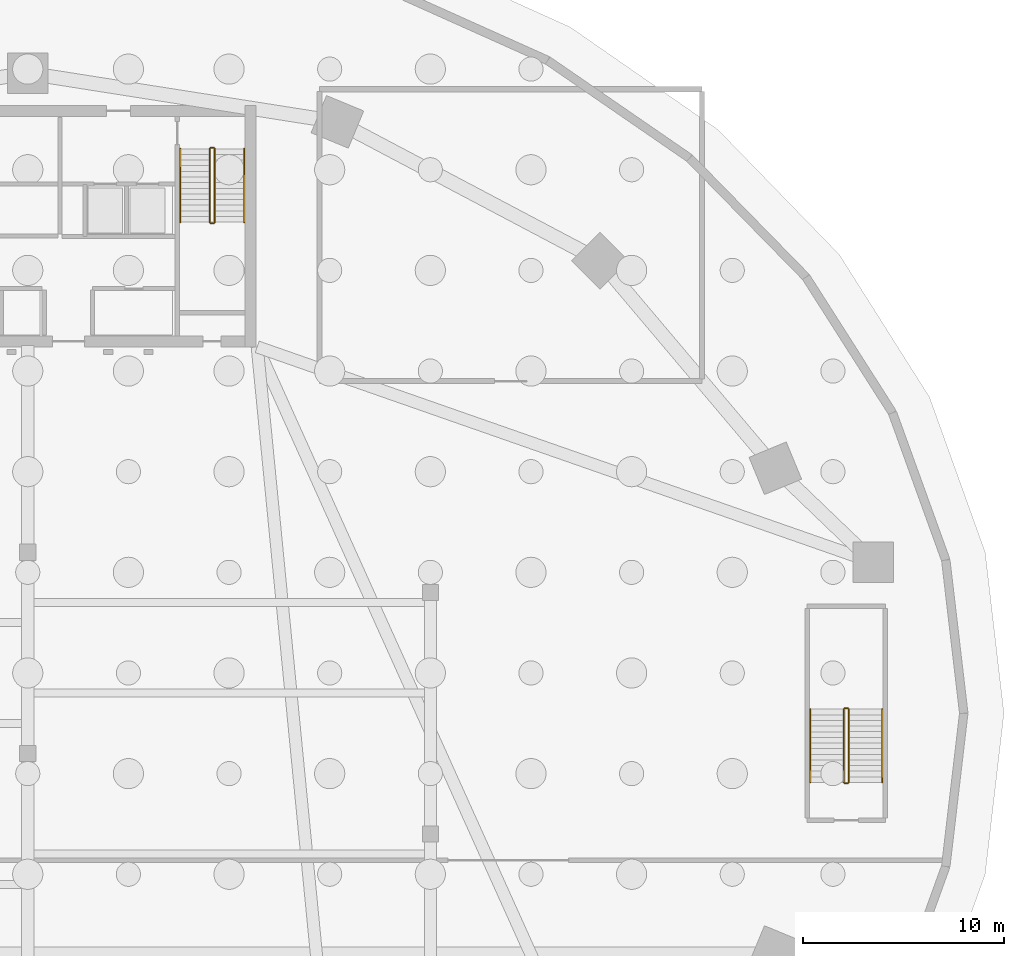
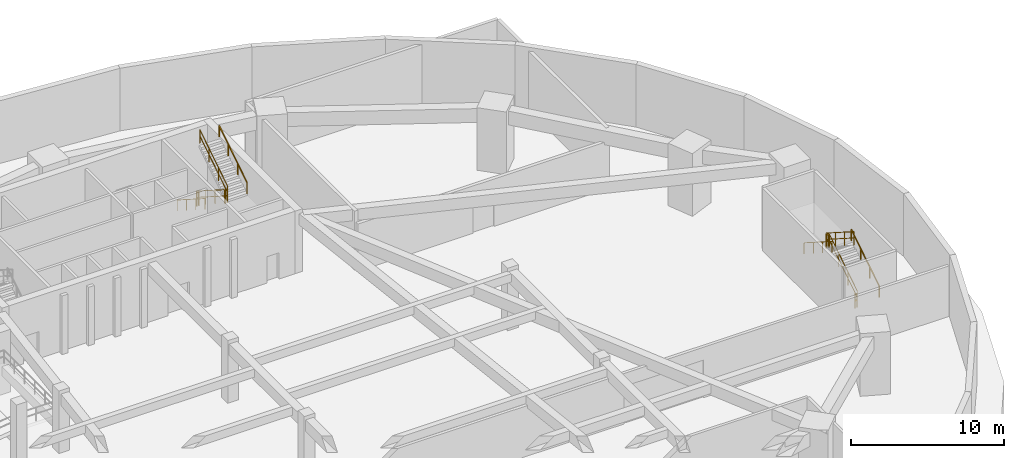
# One storey, part 10 of 11: 12 railings.
"""IFC4 building model written with IfcOpenShell, lengths in metres."""

from ifc_helpers import new_model, si_unit, direction, frame, origin, origin_2d, place, context, subcontext, project, spatial, rectangle, extrude, material, type_object, element, save


model = new_model("IFC4")

# Units and contexts
model_context = context("Model", 3, precision=1e-05, world=origin(), true_north=direction((0.0, 1.0)))
body_context = subcontext(model_context, "Body", "Model", "MODEL_VIEW")
ifc_project = project(units=[si_unit("LENGTHUNIT", "METRE"), si_unit("AREAUNIT", "SQUARE_METRE"), si_unit("VOLUMEUNIT", "CUBIC_METRE"), si_unit("PLANEANGLEUNIT", "RADIAN"), si_unit("MASSUNIT", "GRAM", prefix="KILO")], contexts=[model_context])

# Site, building, storey
site_placement = place(None, origin())
site = spatial("IfcSite", under=ifc_project, at=site_placement, CompositionType="ELEMENT")
building_placement = place(site_placement, origin())
building = spatial("IfcBuilding", under=site, at=building_placement, Name="Breltana Convention Tower", CompositionType="ELEMENT")
storey_placement = place(building_placement, frame((0.0, 0.0, -10.0)))
storey = spatial("IfcBuildingStorey", under=building, at=storey_placement, Name="B02", CompositionType="ELEMENT", Elevation=-10.0)

# Railings
ifc_material_1 = material(Name="Steel S275 Painted", Category="steel")
railing_type_1 = type_object("IfcRailingType", Name="RL-STAIR-GUARD-1100", PredefinedType="GUARDRAIL", material=ifc_material_1)
railing_1_placement = place(storey_placement, frame((57.0400390625, 70.0400390625, 0.178466796875)))
element("IfcRailing", 1, at=railing_1_placement, inside=storey, type_object=railing_type_1, Name="B02 ST-2 stair guard 1", PredefinedType="GUARDRAIL", context=body_context, shape_type="SweptSolid", body=[
    extrude(rectangle(XDim=0.048095703125, YDim=0.048095703125, at=origin_2d()), frame((0.0, 0.0, 1.076171875), z_axis=(0.0, -0.843127859045, 0.537713132908), x_axis=(1.0, 0.0, 0.0)), (0.0, 0.0, 1.0), 4.3173828125),
    extrude(rectangle(XDim=0.048095703125, YDim=0.048095703125, at=origin_2d()), frame((0.0, 0.0, 0.572021484375), z_axis=(0.0, -0.843127859045, 0.537713132908), x_axis=(1.0, 0.0, 0.0)), (0.0, 0.0, 1.0), 4.3173828125),
    extrude(rectangle(XDim=0.0419921875, YDim=0.0419921875, at=origin_2d()), origin(), (0.0, 0.0, 1.0), 1.052001953125),
    extrude(rectangle(XDim=0.0419921875, YDim=0.0419921875, at=origin_2d()), frame((0.0, -1.21337890625, 0.77392578125)), (0.0, 0.0, 1.0), 1.052001953125),
    extrude(rectangle(XDim=0.0419921875, YDim=0.0419921875, at=origin_2d()), frame((0.0, -2.4267578125, 1.547607421875)), (0.0, 0.0, 1.0), 1.052001953125),
    extrude(rectangle(XDim=0.0419921875, YDim=0.0419921875, at=origin_2d()), frame((0.0, -3.64013671875, 2.321533203125)), (0.0, 0.0, 1.0), 1.052001953125),
])
railing_2_placement = place(storey_placement, frame((57.090087890625, 66.35009765625, 2.5)))
element("IfcRailing", 2, at=railing_2_placement, inside=storey, type_object=railing_type_1, Name="B02 ST-2 stair guard 2", PredefinedType="GUARDRAIL", context=body_context, shape_type="SweptSolid", body=[
    extrude(rectangle(XDim=0.048095703125, YDim=0.048095703125, at=origin_2d()), frame((0.0, 0.0, 1.076171875), z_axis=(1.0, 0.0, 0.0), x_axis=(0.0, 1.0, 0.0)), (0.0, 0.0, 1.0), 0.14990234375),
    extrude(rectangle(XDim=0.048095703125, YDim=0.048095703125, at=origin_2d()), frame((0.0, 0.0, 0.572021484375), z_axis=(1.0, 0.0, 0.0), x_axis=(0.0, 1.0, 0.0)), (0.0, 0.0, 1.0), 0.14990234375),
    extrude(rectangle(XDim=0.0419921875, YDim=0.0419921875, at=origin_2d()), origin(), (0.0, 0.0, 1.0), 1.052001953125),
    extrude(rectangle(XDim=0.0419921875, YDim=0.0419921875, at=origin_2d()), frame((0.14990234375, 0.0, 0.0)), (0.0, 0.0, 1.0), 1.052001953125),
])
railing_3_placement = place(storey_placement, frame((57.2900390625, 66.39990234375, 2.678466796875)))
element("IfcRailing", 3, at=railing_3_placement, inside=storey, type_object=railing_type_1, Name="B02 ST-2 stair guard 3", PredefinedType="GUARDRAIL", context=body_context, shape_type="SweptSolid", body=[
    extrude(rectangle(XDim=0.048095703125, YDim=0.048095703125, at=origin_2d()), frame((0.0, 0.0, 1.076171875), z_axis=(0.0, 0.843127859045, 0.537713132908), x_axis=(-1.0, 0.0, 0.0)), (0.0, 0.0, 1.0), 4.3173828125),
    extrude(rectangle(XDim=0.048095703125, YDim=0.048095703125, at=origin_2d()), frame((0.0, 0.0, 0.572021484375), z_axis=(0.0, 0.843127859045, 0.537713132908), x_axis=(-1.0, 0.0, 0.0)), (0.0, 0.0, 1.0), 4.3173828125),
    extrude(rectangle(XDim=0.0419921875, YDim=0.0419921875, at=origin_2d()), origin(), (0.0, 0.0, 1.0), 1.052001953125),
    extrude(rectangle(XDim=0.0419921875, YDim=0.0419921875, at=origin_2d()), frame((0.0, 1.21337890625, 0.77392578125)), (0.0, 0.0, 1.0), 1.052001953125),
    extrude(rectangle(XDim=0.0419921875, YDim=0.0419921875, at=origin_2d()), frame((0.0, 2.4267578125, 1.547607421875)), (0.0, 0.0, 1.0), 1.052001953125),
    extrude(rectangle(XDim=0.0419921875, YDim=0.0419921875, at=origin_2d()), frame((0.0, 3.64013671875, 2.321533203125)), (0.0, 0.0, 1.0), 1.052001953125),
])
railing_4_placement = place(storey_placement, frame((57.090087890625, 70.090087890625, 0.0)))
element("IfcRailing", 4, at=railing_4_placement, inside=storey, type_object=railing_type_1, Name="B02 ST-2 stair guard 4", PredefinedType="GUARDRAIL", context=body_context, shape_type="SweptSolid", body=[
    extrude(rectangle(XDim=0.048095703125, YDim=0.048095703125, at=origin_2d()), frame((0.0, 0.0, 1.076171875), z_axis=(1.0, 0.0, 0.0), x_axis=(0.0, 1.0, 0.0)), (0.0, 0.0, 1.0), 0.14990234375),
    extrude(rectangle(XDim=0.048095703125, YDim=0.048095703125, at=origin_2d()), frame((0.0, 0.0, 0.572021484375), z_axis=(1.0, 0.0, 0.0), x_axis=(0.0, 1.0, 0.0)), (0.0, 0.0, 1.0), 0.14990234375),
    extrude(rectangle(XDim=0.0419921875, YDim=0.0419921875, at=origin_2d()), origin(), (0.0, 0.0, 1.0), 1.052001953125),
    extrude(rectangle(XDim=0.0419921875, YDim=0.0419921875, at=origin_2d()), frame((0.14990234375, 0.0, 0.0)), (0.0, 0.0, 1.0), 1.052001953125),
])
railing_5_placement = place(storey_placement, frame((88.7900390625, 38.56005859375, 0.178466796875)))
element("IfcRailing", 5, at=railing_5_placement, inside=storey, type_object=railing_type_1, Name="B02 ST-4 stair guard 1", PredefinedType="GUARDRAIL", context=body_context, shape_type="SweptSolid", body=[
    extrude(rectangle(XDim=0.048095703125, YDim=0.048095703125, at=origin_2d()), frame((0.0, 0.0, 1.076171875), z_axis=(0.0, 0.843111507901, 0.53773877045), x_axis=(-1.0, 0.0, 0.0)), (0.0, 0.0, 1.0), 4.317138671875),
    extrude(rectangle(XDim=0.048095703125, YDim=0.048095703125, at=origin_2d()), frame((0.0, 0.0, 0.572021484375), z_axis=(0.0, 0.843111507901, 0.53773877045), x_axis=(-1.0, 0.0, 0.0)), (0.0, 0.0, 1.0), 4.317138671875),
    extrude(rectangle(XDim=0.0419921875, YDim=0.0419921875, at=origin_2d()), origin(), (0.0, 0.0, 1.0), 1.052001953125),
    extrude(rectangle(XDim=0.0419921875, YDim=0.0419921875, at=origin_2d()), frame((0.0, 1.21337890625, 0.77392578125)), (0.0, 0.0, 1.0), 1.052001953125),
    extrude(rectangle(XDim=0.0419921875, YDim=0.0419921875, at=origin_2d()), frame((0.0, 2.426513671875, 1.547607421875)), (0.0, 0.0, 1.0), 1.052001953125),
    extrude(rectangle(XDim=0.0419921875, YDim=0.0419921875, at=origin_2d()), frame((0.0, 3.639892578125, 2.321533203125)), (0.0, 0.0, 1.0), 1.052001953125),
])
railing_6_placement = place(storey_placement, frame((88.739990234375, 42.25, 2.5)))
element("IfcRailing", 6, at=railing_6_placement, inside=storey, type_object=railing_type_1, Name="B02 ST-4 stair guard 2", PredefinedType="GUARDRAIL", context=body_context, shape_type="SweptSolid", body=[
    extrude(rectangle(XDim=0.048095703125, YDim=0.048095703125, at=origin_2d()), frame((0.0, 0.0, 1.076171875), z_axis=(-1.0, 0.0, 0.0), x_axis=(0.0, -1.0, 0.0)), (0.0, 0.0, 1.0), 0.14990234375),
    extrude(rectangle(XDim=0.048095703125, YDim=0.048095703125, at=origin_2d()), frame((0.0, 0.0, 0.572021484375), z_axis=(-1.0, 0.0, 0.0), x_axis=(0.0, -1.0, 0.0)), (0.0, 0.0, 1.0), 0.14990234375),
    extrude(rectangle(XDim=0.0419921875, YDim=0.0419921875, at=origin_2d()), origin(), (0.0, 0.0, 1.0), 1.052001953125),
    extrude(rectangle(XDim=0.0419921875, YDim=0.0419921875, at=origin_2d()), frame((-0.14990234375, 0.0, 0.0)), (0.0, 0.0, 1.0), 1.052001953125),
])
railing_7_placement = place(storey_placement, frame((88.5400390625, 42.199951171875, 2.678466796875)))
element("IfcRailing", 7, at=railing_7_placement, inside=storey, type_object=railing_type_1, Name="B02 ST-4 stair guard 3", PredefinedType="GUARDRAIL", context=body_context, shape_type="SweptSolid", body=[
    extrude(rectangle(XDim=0.048095703125, YDim=0.048095703125, at=origin_2d()), frame((0.0, 0.0, 1.076171875), z_axis=(0.0, -0.843111507901, 0.53773877045), x_axis=(1.0, 0.0, 0.0)), (0.0, 0.0, 1.0), 4.317138671875),
    extrude(rectangle(XDim=0.048095703125, YDim=0.048095703125, at=origin_2d()), frame((0.0, 0.0, 0.572021484375), z_axis=(0.0, -0.843111507901, 0.53773877045), x_axis=(1.0, 0.0, 0.0)), (0.0, 0.0, 1.0), 4.317138671875),
    extrude(rectangle(XDim=0.0419921875, YDim=0.0419921875, at=origin_2d()), origin(), (0.0, 0.0, 1.0), 1.052001953125),
    extrude(rectangle(XDim=0.0419921875, YDim=0.0419921875, at=origin_2d()), frame((0.0, -1.21337890625, 0.77392578125)), (0.0, 0.0, 1.0), 1.052001953125),
    extrude(rectangle(XDim=0.0419921875, YDim=0.0419921875, at=origin_2d()), frame((0.0, -2.426513671875, 1.547607421875)), (0.0, 0.0, 1.0), 1.052001953125),
    extrude(rectangle(XDim=0.0419921875, YDim=0.0419921875, at=origin_2d()), frame((0.0, -3.639892578125, 2.321533203125)), (0.0, 0.0, 1.0), 1.052001953125),
])
railing_8_placement = place(storey_placement, frame((88.739990234375, 38.510009765625, 0.0)))
element("IfcRailing", 8, at=railing_8_placement, inside=storey, type_object=railing_type_1, Name="B02 ST-4 stair guard 4", PredefinedType="GUARDRAIL", context=body_context, shape_type="SweptSolid", body=[
    extrude(rectangle(XDim=0.048095703125, YDim=0.048095703125, at=origin_2d()), frame((0.0, 0.0, 1.076171875), z_axis=(-1.0, 0.0, 0.0), x_axis=(0.0, -1.0, 0.0)), (0.0, 0.0, 1.0), 0.14990234375),
    extrude(rectangle(XDim=0.048095703125, YDim=0.048095703125, at=origin_2d()), frame((0.0, 0.0, 0.572021484375), z_axis=(-1.0, 0.0, 0.0), x_axis=(0.0, -1.0, 0.0)), (0.0, 0.0, 1.0), 0.14990234375),
    extrude(rectangle(XDim=0.0419921875, YDim=0.0419921875, at=origin_2d()), origin(), (0.0, 0.0, 1.0), 1.052001953125),
    extrude(rectangle(XDim=0.0419921875, YDim=0.0419921875, at=origin_2d()), frame((-0.14990234375, 0.0, 0.0)), (0.0, 0.0, 1.0), 1.052001953125),
])
ifc_material_2 = material(Name="Stainless Steel 316L", Category="steel")
railing_type_2 = type_object("IfcRailingType", Name="RL-STAIR-HANDRAIL-900", PredefinedType="HANDRAIL", material=ifc_material_2)
railing_9_placement = place(storey_placement, frame((55.580078125, 70.0400390625, 0.178466796875)))
element("IfcRailing", 9, at=railing_9_placement, inside=storey, type_object=railing_type_2, Name="B02 ST-2 stair handrail 1", PredefinedType="HANDRAIL", context=body_context, shape_type="SweptSolid", body=[
    extrude(rectangle(XDim=0.048095703125, YDim=0.048095703125, at=origin_2d()), frame((0.0, 0.0, 0.8759765625), z_axis=(0.0, -0.843127859045, 0.537713132908), x_axis=(1.0, 0.0, 0.0)), (0.0, 0.0, 1.0), 4.3173828125),
    extrude(rectangle(XDim=0.0419921875, YDim=0.0419921875, at=origin_2d()), origin(), (0.0, 0.0, 1.0), 0.851806640625),
    extrude(rectangle(XDim=0.0419921875, YDim=0.0419921875, at=origin_2d()), frame((0.0, -1.21337890625, 0.77392578125)), (0.0, 0.0, 1.0), 0.851806640625),
    extrude(rectangle(XDim=0.0419921875, YDim=0.0419921875, at=origin_2d()), frame((0.0, -2.4267578125, 1.547607421875)), (0.0, 0.0, 1.0), 0.851806640625),
    extrude(rectangle(XDim=0.0419921875, YDim=0.0419921875, at=origin_2d()), frame((0.0, -3.64013671875, 2.321533203125)), (0.0, 0.0, 1.0), 0.851806640625),
])
railing_10_placement = place(storey_placement, frame((58.75, 66.39990234375, 2.678466796875)))
element("IfcRailing", 10, at=railing_10_placement, inside=storey, type_object=railing_type_2, Name="B02 ST-2 stair handrail 2", PredefinedType="HANDRAIL", context=body_context, shape_type="SweptSolid", body=[
    extrude(rectangle(XDim=0.048095703125, YDim=0.048095703125, at=origin_2d()), frame((0.0, 0.0, 0.8759765625), z_axis=(0.0, 0.843127859045, 0.537713132908), x_axis=(-1.0, 0.0, 0.0)), (0.0, 0.0, 1.0), 4.3173828125),
    extrude(rectangle(XDim=0.0419921875, YDim=0.0419921875, at=origin_2d()), origin(), (0.0, 0.0, 1.0), 0.851806640625),
    extrude(rectangle(XDim=0.0419921875, YDim=0.0419921875, at=origin_2d()), frame((0.0, 1.21337890625, 0.77392578125)), (0.0, 0.0, 1.0), 0.851806640625),
    extrude(rectangle(XDim=0.0419921875, YDim=0.0419921875, at=origin_2d()), frame((0.0, 2.4267578125, 1.547607421875)), (0.0, 0.0, 1.0), 0.851806640625),
    extrude(rectangle(XDim=0.0419921875, YDim=0.0419921875, at=origin_2d()), frame((0.0, 3.64013671875, 2.321533203125)), (0.0, 0.0, 1.0), 0.851806640625),
])
railing_11_placement = place(storey_placement, frame((90.449951171875, 38.56005859375, 0.178466796875)))
element("IfcRailing", 11, at=railing_11_placement, inside=storey, type_object=railing_type_2, Name="B02 ST-4 stair handrail 1", PredefinedType="HANDRAIL", context=body_context, shape_type="SweptSolid", body=[
    extrude(rectangle(XDim=0.048095703125, YDim=0.048095703125, at=origin_2d()), frame((0.0, 0.0, 0.8759765625), z_axis=(0.0, 0.843111507901, 0.53773877045), x_axis=(-1.0, 0.0, 0.0)), (0.0, 0.0, 1.0), 4.317138671875),
    extrude(rectangle(XDim=0.0419921875, YDim=0.0419921875, at=origin_2d()), origin(), (0.0, 0.0, 1.0), 0.851806640625),
    extrude(rectangle(XDim=0.0419921875, YDim=0.0419921875, at=origin_2d()), frame((0.0, 1.21337890625, 0.77392578125)), (0.0, 0.0, 1.0), 0.851806640625),
    extrude(rectangle(XDim=0.0419921875, YDim=0.0419921875, at=origin_2d()), frame((0.0, 2.426513671875, 1.547607421875)), (0.0, 0.0, 1.0), 0.851806640625),
    extrude(rectangle(XDim=0.0419921875, YDim=0.0419921875, at=origin_2d()), frame((0.0, 3.639892578125, 2.321533203125)), (0.0, 0.0, 1.0), 0.851806640625),
])
railing_12_placement = place(storey_placement, frame((86.8798828125, 42.199951171875, 2.678466796875)))
element("IfcRailing", 12, at=railing_12_placement, inside=storey, type_object=railing_type_2, Name="B02 ST-4 stair handrail 2", PredefinedType="HANDRAIL", context=body_context, shape_type="SweptSolid", body=[
    extrude(rectangle(XDim=0.048095703125, YDim=0.048095703125, at=origin_2d()), frame((0.0, 0.0, 0.8759765625), z_axis=(0.0, -0.843111507901, 0.53773877045), x_axis=(1.0, 0.0, 0.0)), (0.0, 0.0, 1.0), 4.317138671875),
    extrude(rectangle(XDim=0.0419921875, YDim=0.0419921875, at=origin_2d()), origin(), (0.0, 0.0, 1.0), 0.851806640625),
    extrude(rectangle(XDim=0.0419921875, YDim=0.0419921875, at=origin_2d()), frame((0.0, -1.21337890625, 0.77392578125)), (0.0, 0.0, 1.0), 0.851806640625),
    extrude(rectangle(XDim=0.0419921875, YDim=0.0419921875, at=origin_2d()), frame((0.0, -2.426513671875, 1.547607421875)), (0.0, 0.0, 1.0), 0.851806640625),
    extrude(rectangle(XDim=0.0419921875, YDim=0.0419921875, at=origin_2d()), frame((0.0, -3.639892578125, 2.321533203125)), (0.0, 0.0, 1.0), 0.851806640625),
])

save(model, "model.ifc")
